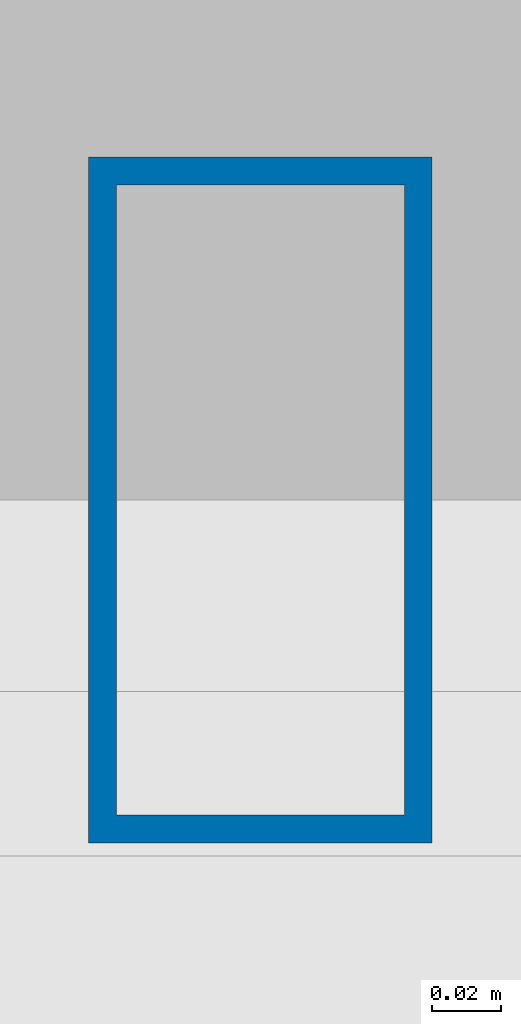
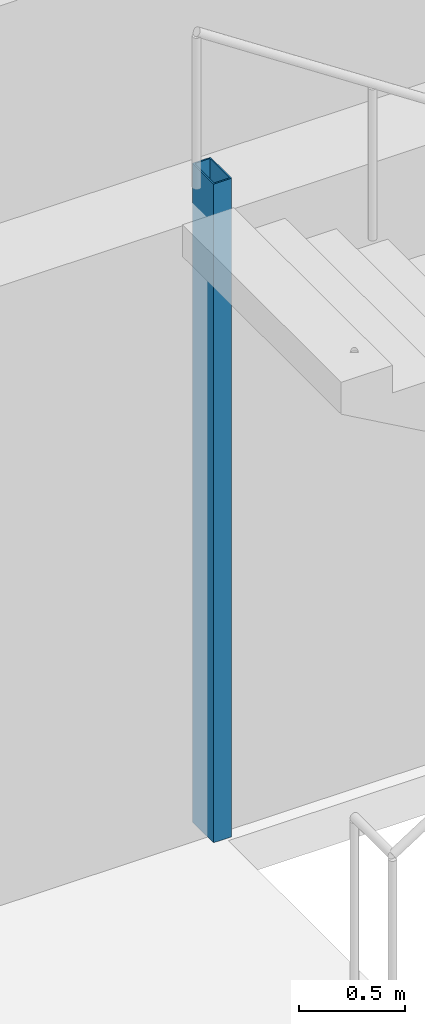
# One storey, part 2 of 17: 1 column.
"""IFC4 building model written with IfcOpenShell, lengths in metres."""

from ifc_helpers import new_model, si_unit, direction, frame, origin, origin_2d, place, context, subcontext, project, spatial, hollow_rectangle, extrude, material, material_profile, profile_set, type_object, element, save


model = new_model("IFC4")

# Units and contexts
model_context = context("Model", 3, precision=1e-05, world=origin(), true_north=direction((0.0, 1.0)))
body_context = subcontext(model_context, "Body", "Model", "MODEL_VIEW")
ifc_project = project(units=[si_unit("LENGTHUNIT", "METRE"), si_unit("AREAUNIT", "SQUARE_METRE"), si_unit("VOLUMEUNIT", "CUBIC_METRE"), si_unit("PLANEANGLEUNIT", "RADIAN"), si_unit("MASSUNIT", "GRAM", prefix="KILO")], contexts=[model_context])

# Site, building, storey
site_placement = place(None, origin())
site = spatial("IfcSite", under=ifc_project, at=site_placement, CompositionType="ELEMENT")
building_placement = place(site_placement, origin())
building = spatial("IfcBuilding", under=site, at=building_placement, Name="Menara Jurai Vektor", CompositionType="ELEMENT")
storey_placement = place(building_placement, frame((0.0, 0.0, 37.0)))
storey = spatial("IfcBuildingStorey", under=building, at=storey_placement, Name="L08", CompositionType="ELEMENT", Elevation=37.0)

# Column
ifc_material = material(Name="Steel S355", Category="steel")
ifc_material_profile = material_profile(ifc_material, hollow_rectangle(XDim=0.10009765625, YDim=0.199951171875, WallThickness=0.008056640625, at=origin_2d()), Name="RHS 200x100x8")
ifc_profile_set = profile_set([ifc_material_profile], Name="Steel S355")
column_type = type_object("IfcColumnType", Name="STR-COL-STAIR", PredefinedType="COLUMN", material=ifc_profile_set)
column_placement = place(storey_placement, frame((-11.1201171875, 5.419921875, 0.0), z_axis=(0.0, 0.0, 1.0), x_axis=(1.0, 0.0, 0.0)))
element("IfcColumn", 1, at=column_placement, inside=storey, type_object=column_type, Name="Stair Well Header Column ST1-P2 L08", PredefinedType="COLUMN", context=body_context, shape_type="SweptSolid", body=[
    extrude(hollow_rectangle(XDim=0.10009765625, YDim=0.199951171875, WallThickness=0.008056640625, at=origin_2d()), origin(), (0.0, 0.0, 1.0), 3.800048828125),
])

save(model, "model.ifc")
